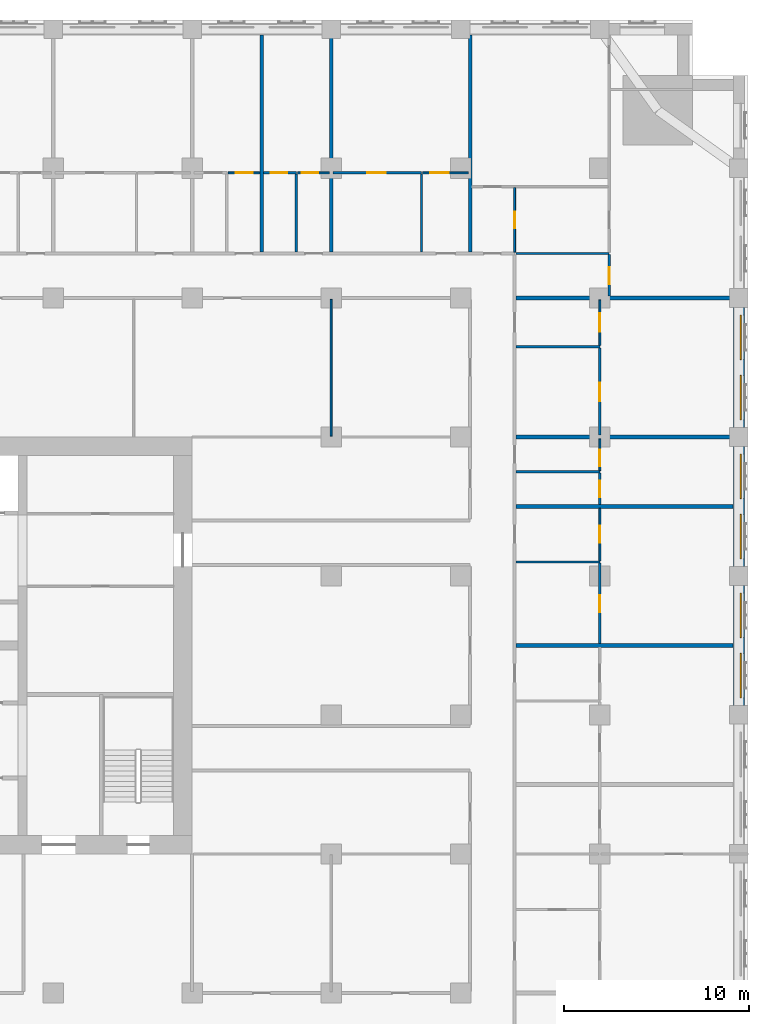
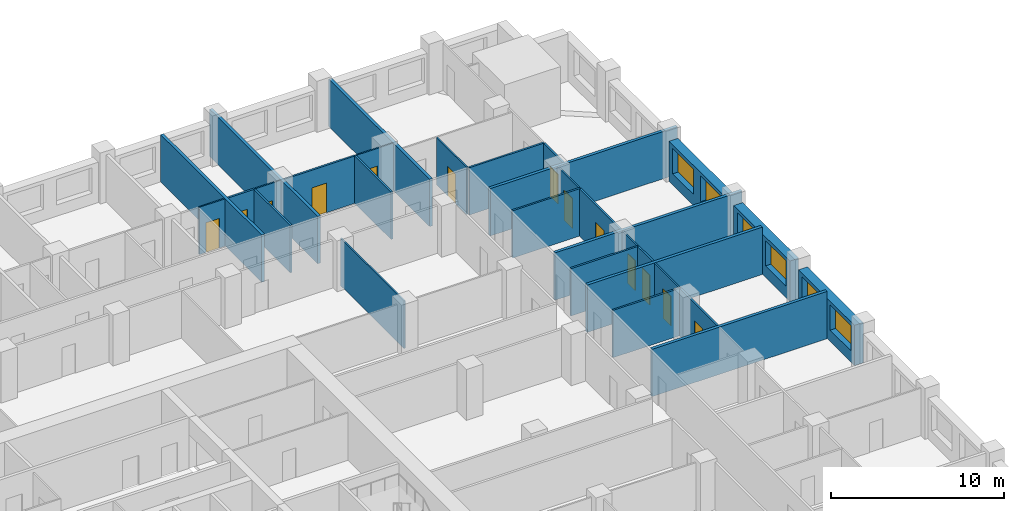
# One storey, part 10 of 14: 30 walls, 13 doors, 6 windows, 19 openings.
"""IFC4 building model written with IfcOpenShell, lengths in metres."""

from ifc_helpers import new_model, si_unit, direction, frame, frame_2d, origin, place, context, subcontext, project, spatial, rectangle, extrude, material, layer, layer_set, type_object, element, fill, save


model = new_model("IFC4")

# Units and contexts
model_context = context("Model", 3, precision=1e-05, world=origin(), true_north=direction((0.0, 1.0)))
body_context = subcontext(model_context, "Body", "Model", "MODEL_VIEW")
ifc_project = project(units=[si_unit("LENGTHUNIT", "METRE"), si_unit("AREAUNIT", "SQUARE_METRE"), si_unit("VOLUMEUNIT", "CUBIC_METRE"), si_unit("PLANEANGLEUNIT", "RADIAN"), si_unit("MASSUNIT", "GRAM", prefix="KILO")], contexts=[model_context])

# Site, building, storey
site_placement = place(None, origin())
site = spatial("IfcSite", under=ifc_project, at=site_placement, CompositionType="ELEMENT")
building_placement = place(site_placement, origin())
building = spatial("IfcBuilding", under=site, at=building_placement, Name="Tamorin Gate", CompositionType="ELEMENT")
storey_placement = place(building_placement, frame((0.0, 0.0, 93.5)))
storey = spatial("IfcBuildingStorey", under=building, at=storey_placement, Name="L22", CompositionType="ELEMENT", Elevation=93.5)

# Wall, openings, windows
ifc_material_1 = material(Name="Precast concrete C40/50", Category="concrete")
ifc_layer_1 = layer(ifc_material_1, 0.60009765625)
ifc_layer_set_1 = layer_set([ifc_layer_1], Name="Precast concrete C40/50")
wall_type_1 = type_object("IfcWallType", Name="Board-marked concrete facade panel 600", PredefinedType="SOLIDWALL", material=ifc_layer_set_1)
wall_1_placement = place(storey_placement, frame((89.5, 68.0, 0.0), z_axis=(0.0, 0.0, 1.0), x_axis=(0.0, 1.0, 0.0)))
wall_1 = element("IfcWall", 1, at=wall_1_placement, inside=storey, type_object=wall_type_1, Name="Facade panel", PredefinedType="SOLIDWALL", context=body_context, shape_type="SweptSolid", body=[
    extrude(rectangle(XDim=6.5, YDim=0.60009765625, at=frame_2d((3.25, 0.0))), origin(), (0.0, 0.0, 1.0), 2.85009765625),
])
opening_1_placement = place(wall_1_placement, frame((0.425048828125, 0.0, 0.800048828125)))
opening_1 = element("IfcOpeningElement", 2, at=opening_1_placement, cuts=wall_1, Name="Opening WN1", PredefinedType="OPENING", context=body_context, shape_type="SweptSolid", body=[
    extrude(rectangle(XDim=2.39990234375, YDim=1.800048828125, at=frame_2d((1.199951171875, 0.89990234375))), frame((0.0, 0.31005859375, 0.0), z_axis=(0.0, -1.0, 0.0), x_axis=(1.0, 0.0, 0.0)), (0.0, 0.0, 1.0), 0.6201171875),
])
opening_2_placement = place(wall_1_placement, frame((3.675048828125, 0.0, 0.800048828125)))
opening_2 = element("IfcOpeningElement", 3, at=opening_2_placement, cuts=wall_1, Name="Opening WN1", PredefinedType="OPENING", context=body_context, shape_type="SweptSolid", body=[
    extrude(rectangle(XDim=2.39990234375, YDim=1.800048828125, at=frame_2d((1.199951171875, 0.89990234375))), frame((0.0, 0.31005859375, 0.0), z_axis=(0.0, -1.0, 0.0), x_axis=(1.0, 0.0, 0.0)), (0.0, 0.0, 1.0), 0.6201171875),
])
ifc_material_2 = material(Name="Clear glass in aluminium frame", Category="aluminium")
window_type = type_object("IfcWindowType", Name="Deep-set window 2400x1800", PartitioningType="SINGLE_PANEL", PredefinedType="WINDOW", material=ifc_material_2)
window_1_placement = place(opening_1_placement, origin())
window_1 = element("IfcWindow", 4, at=window_1_placement, inside=storey, type_object=window_type, Name="Deep-set window", OverallHeight=1.800048828125, OverallWidth=2.39990234375, PartitioningType="SINGLE_PANEL", PredefinedType="WINDOW", context=body_context, shape_type="SweptSolid", body=[
    extrude(rectangle(XDim=2.39990234375, YDim=1.800048828125, at=frame_2d((1.199951171875, 0.89990234375))), frame((0.0, -0.070068359375, 0.0), z_axis=(0.0, -1.0, 0.0), x_axis=(1.0, 0.0, 0.0)), (0.0, 0.0, 1.0), 0.06005859375),
])
fill(opening_1, window_1)
window_2_placement = place(opening_2_placement, origin())
window_2 = element("IfcWindow", 5, at=window_2_placement, inside=storey, type_object=window_type, Name="Deep-set window", OverallHeight=1.800048828125, OverallWidth=2.39990234375, PartitioningType="SINGLE_PANEL", PredefinedType="WINDOW", context=body_context, shape_type="SweptSolid", body=[
    extrude(rectangle(XDim=2.39990234375, YDim=1.800048828125, at=frame_2d((1.199951171875, 0.89990234375))), frame((0.0, -0.070068359375, 0.0), z_axis=(0.0, -1.0, 0.0), x_axis=(1.0, 0.0, 0.0)), (0.0, 0.0, 1.0), 0.06005859375),
])
fill(opening_2, window_2)

wall_2_placement = place(storey_placement, frame((89.5, 75.5, 0.0), z_axis=(0.0, 0.0, 1.0), x_axis=(0.0, 1.0, 0.0)))
wall_2 = element("IfcWall", 6, at=wall_2_placement, inside=storey, type_object=wall_type_1, Name="Facade panel", PredefinedType="SOLIDWALL", context=body_context, shape_type="SweptSolid", body=[
    extrude(rectangle(XDim=6.5, YDim=0.60009765625, at=frame_2d((3.25, 0.0))), origin(), (0.0, 0.0, 1.0), 2.85009765625),
])
opening_3_placement = place(wall_2_placement, frame((0.425048828125, 0.0, 0.800048828125)))
opening_3 = element("IfcOpeningElement", 7, at=opening_3_placement, cuts=wall_2, Name="Opening WN1", PredefinedType="OPENING", context=body_context, shape_type="SweptSolid", body=[
    extrude(rectangle(XDim=2.39990234375, YDim=1.800048828125, at=frame_2d((1.199951171875, 0.89990234375))), frame((0.0, 0.31005859375, 0.0), z_axis=(0.0, -1.0, 0.0), x_axis=(1.0, 0.0, 0.0)), (0.0, 0.0, 1.0), 0.6201171875),
])
opening_4_placement = place(wall_2_placement, frame((3.675048828125, 0.0, 0.800048828125)))
opening_4 = element("IfcOpeningElement", 8, at=opening_4_placement, cuts=wall_2, Name="Opening WN1", PredefinedType="OPENING", context=body_context, shape_type="SweptSolid", body=[
    extrude(rectangle(XDim=2.39990234375, YDim=1.800048828125, at=frame_2d((1.199951171875, 0.89990234375))), frame((0.0, 0.31005859375, 0.0), z_axis=(0.0, -1.0, 0.0), x_axis=(1.0, 0.0, 0.0)), (0.0, 0.0, 1.0), 0.6201171875),
])
window_3_placement = place(opening_3_placement, origin())
window_3 = element("IfcWindow", 9, at=window_3_placement, inside=storey, type_object=window_type, Name="Deep-set window", OverallHeight=1.800048828125, OverallWidth=2.39990234375, PartitioningType="SINGLE_PANEL", PredefinedType="WINDOW", context=body_context, shape_type="SweptSolid", body=[
    extrude(rectangle(XDim=2.39990234375, YDim=1.800048828125, at=frame_2d((1.199951171875, 0.89990234375))), frame((0.0, -0.070068359375, 0.0), z_axis=(0.0, -1.0, 0.0), x_axis=(1.0, 0.0, 0.0)), (0.0, 0.0, 1.0), 0.06005859375),
])
fill(opening_3, window_3)
window_4_placement = place(opening_4_placement, origin())
window_4 = element("IfcWindow", 10, at=window_4_placement, inside=storey, type_object=window_type, Name="Deep-set window", OverallHeight=1.800048828125, OverallWidth=2.39990234375, PartitioningType="SINGLE_PANEL", PredefinedType="WINDOW", context=body_context, shape_type="SweptSolid", body=[
    extrude(rectangle(XDim=2.39990234375, YDim=1.800048828125, at=frame_2d((1.199951171875, 0.89990234375))), frame((0.0, -0.070068359375, 0.0), z_axis=(0.0, -1.0, 0.0), x_axis=(1.0, 0.0, 0.0)), (0.0, 0.0, 1.0), 0.06005859375),
])
fill(opening_4, window_4)

wall_3_placement = place(storey_placement, frame((89.5, 83.0, 0.0), z_axis=(0.0, 0.0, 1.0), x_axis=(0.0, 1.0, 0.0)))
wall_3 = element("IfcWall", 11, at=wall_3_placement, inside=storey, type_object=wall_type_1, Name="Facade panel", PredefinedType="SOLIDWALL", context=body_context, shape_type="SweptSolid", body=[
    extrude(rectangle(XDim=6.5, YDim=0.60009765625, at=frame_2d((3.25, 0.0))), origin(), (0.0, 0.0, 1.0), 2.85009765625),
])
opening_5_placement = place(wall_3_placement, frame((0.425048828125, 0.0, 0.800048828125)))
opening_5 = element("IfcOpeningElement", 12, at=opening_5_placement, cuts=wall_3, Name="Opening WN1", PredefinedType="OPENING", context=body_context, shape_type="SweptSolid", body=[
    extrude(rectangle(XDim=2.39990234375, YDim=1.800048828125, at=frame_2d((1.199951171875, 0.89990234375))), frame((0.0, 0.31005859375, 0.0), z_axis=(0.0, -1.0, 0.0), x_axis=(1.0, 0.0, 0.0)), (0.0, 0.0, 1.0), 0.6201171875),
])
opening_6_placement = place(wall_3_placement, frame((3.675048828125, 0.0, 0.800048828125)))
opening_6 = element("IfcOpeningElement", 13, at=opening_6_placement, cuts=wall_3, Name="Opening WN1", PredefinedType="OPENING", context=body_context, shape_type="SweptSolid", body=[
    extrude(rectangle(XDim=2.39990234375, YDim=1.800048828125, at=frame_2d((1.199951171875, 0.89990234375))), frame((0.0, 0.31005859375, 0.0), z_axis=(0.0, -1.0, 0.0), x_axis=(1.0, 0.0, 0.0)), (0.0, 0.0, 1.0), 0.6201171875),
])
window_5_placement = place(opening_5_placement, origin())
window_5 = element("IfcWindow", 14, at=window_5_placement, inside=storey, type_object=window_type, Name="Deep-set window", OverallHeight=1.800048828125, OverallWidth=2.39990234375, PartitioningType="SINGLE_PANEL", PredefinedType="WINDOW", context=body_context, shape_type="SweptSolid", body=[
    extrude(rectangle(XDim=2.39990234375, YDim=1.800048828125, at=frame_2d((1.199951171875, 0.89990234375))), frame((0.0, -0.070068359375, 0.0), z_axis=(0.0, -1.0, 0.0), x_axis=(1.0, 0.0, 0.0)), (0.0, 0.0, 1.0), 0.06005859375),
])
fill(opening_5, window_5)
window_6_placement = place(opening_6_placement, origin())
window_6 = element("IfcWindow", 15, at=window_6_placement, inside=storey, type_object=window_type, Name="Deep-set window", OverallHeight=1.800048828125, OverallWidth=2.39990234375, PartitioningType="SINGLE_PANEL", PredefinedType="WINDOW", context=body_context, shape_type="SweptSolid", body=[
    extrude(rectangle(XDim=2.39990234375, YDim=1.800048828125, at=frame_2d((1.199951171875, 0.89990234375))), frame((0.0, -0.070068359375, 0.0), z_axis=(0.0, -1.0, 0.0), x_axis=(1.0, 0.0, 0.0)), (0.0, 0.0, 1.0), 0.06005859375),
])
fill(opening_6, window_6)

# Walls
ifc_material_3 = material(Name="Gypsum board partition")
ifc_layer_2 = layer(ifc_material_3, 0.199951171875)
ifc_layer_set_2 = layer_set([ifc_layer_2], Name="Demising wall 200")
wall_type_2 = type_object("IfcWallType", Name="Demising wall 200", PredefinedType="PARTITIONING", material=ifc_layer_set_2)
for number, where, z_axis, x_axis, name in (
    (16, (77.47509765625, 71.25, 0.0), (0.0, 0.0, 1.0), (1.0, 0.0, 0.0), "Demising wall 200"),
    (17, (77.47509765625, 78.75, 0.0), (0.0, 0.0, 1.0), (1.0, 0.0, 0.0), "Demising wall 200"),
):
    element("IfcWall", number, at=place(storey_placement, frame(where, z_axis=z_axis, x_axis=x_axis)), inside=storey, type_object=wall_type_2, Name=name, PredefinedType="PARTITIONING", context=body_context, shape_type="SweptSolid", body=[
        extrude(rectangle(XDim=11.71484375, YDim=0.199951171875, at=frame_2d((5.857421875, 0.0))), origin(), (0.0, 0.0, 1.0), 3.35009765625),
    ])
for number, where, z_axis, x_axis, name in (
    (18, (77.47509765625, 82.5, 0.0), (0.0, 0.0, 1.0), (1.0, 0.0, 0.0), "Demising wall 200"),
    (19, (77.47509765625, 90.0, 0.0), (0.0, 0.0, 1.0), (1.0, 0.0, 0.0), "Demising wall 200"),
):
    element("IfcWall", number, at=place(storey_placement, frame(where, z_axis=z_axis, x_axis=x_axis)), inside=storey, type_object=wall_type_2, Name=name, PredefinedType="PARTITIONING", context=body_context, shape_type="SweptSolid", body=[
        extrude(rectangle(XDim=12.52490234375, YDim=0.199951171875, at=frame_2d((6.262451171875, 0.0))), origin(), (0.0, 0.0, 1.0), 3.35009765625),
    ])
wall_4_placement = place(storey_placement, frame((63.75, 92.47509765625, 0.0), z_axis=(0.0, 0.0, 1.0), x_axis=(0.0, 1.0, 0.0)))
element("IfcWall", 20, at=wall_4_placement, inside=storey, type_object=wall_type_2, Name="Demising wall 200", PredefinedType="PARTITIONING", context=body_context, shape_type="SweptSolid", body=[
    extrude(rectangle(XDim=11.71484375, YDim=0.199951171875, at=frame_2d((5.857421875, 0.0))), origin(), (0.0, 0.0, 1.0), 3.35009765625),
])
wall_5_placement = place(storey_placement, frame((67.5, 92.47509765625, 0.0), z_axis=(0.0, 0.0, 1.0), x_axis=(0.0, 1.0, 0.0)))
element("IfcWall", 21, at=wall_5_placement, inside=storey, type_object=wall_type_2, Name="Demising wall 200", PredefinedType="PARTITIONING", context=body_context, shape_type="SweptSolid", body=[
    extrude(rectangle(XDim=12.52490234375, YDim=0.199951171875, at=frame_2d((6.262451171875, 0.0))), origin(), (0.0, 0.0, 1.0), 3.35009765625),
])
wall_6_placement = place(storey_placement, frame((75.0, 92.47509765625, 0.0), z_axis=(0.0, 0.0, 1.0), x_axis=(0.0, 1.0, 0.0)))
element("IfcWall", 22, at=wall_6_placement, inside=storey, type_object=wall_type_2, Name="Demising wall 200", PredefinedType="PARTITIONING", context=body_context, shape_type="SweptSolid", body=[
    extrude(rectangle(XDim=11.71484375, YDim=0.199951171875, at=frame_2d((5.857421875, 0.0))), origin(), (0.0, 0.0, 1.0), 3.35009765625),
])

# Wall, opening, door
ifc_layer_3 = layer(ifc_material_3, 0.10009765625)
ifc_layer_set_3 = layer_set([ifc_layer_3], Name="Room partition 100")
wall_type_3 = type_object("IfcWallType", Name="Room partition 100", PredefinedType="PARTITIONING", material=ifc_layer_set_3)
wall_7_placement = place(storey_placement, frame((61.9375, 96.75, 0.0), z_axis=(0.0, 0.0, 1.0), x_axis=(1.0, 0.0, 0.0)))
wall_7 = element("IfcWall", 23, at=wall_7_placement, inside=storey, type_object=wall_type_3, Name="Room partition 100", PredefinedType="PARTITIONING", context=body_context, shape_type="SweptSolid", body=[
    extrude(rectangle(XDim=1.71240234375, YDim=0.10009765625, at=frame_2d((0.856201171875, 0.0))), origin(), (0.0, 0.0, 1.0), 3.35009765625),
])
opening_7_placement = place(wall_7_placement, frame((0.425048828125, 0.0, 0.0)))
opening_7 = element("IfcOpeningElement", 24, at=opening_7_placement, cuts=wall_7, Name="Opening DH5036", PredefinedType="OPENING", context=body_context, shape_type="SweptSolid", body=[
    extrude(rectangle(XDim=0.89990234375, YDim=2.10009765625, at=frame_2d((0.449951171875, 1.050048828125))), frame((0.0, 0.06005859375, 0.0), z_axis=(0.0, -1.0, 0.0), x_axis=(1.0, 0.0, 0.0)), (0.0, 0.0, 1.0), 0.1201171875),
])
ifc_material_4 = material(Name="Timber door leaf", Category="wood")
door_type_1 = type_object("IfcDoorType", Name="Door 900 x 2100", OperationType="NOTDEFINED", PredefinedType="DOOR", material=ifc_material_4)
door_1_placement = place(opening_7_placement, origin())
door_1 = element("IfcDoor", 25, at=door_1_placement, inside=storey, type_object=door_type_1, Name="Door DH5036", OperationType="SINGLE_SWING_RIGHT", OverallHeight=2.10009765625, OverallWidth=0.89990234375, PredefinedType="DOOR", context=body_context, shape_type="SweptSolid", body=[
    extrude(rectangle(XDim=0.89990234375, YDim=2.10009765625, at=frame_2d((0.449951171875, 1.050048828125))), frame((0.0, 0.02490234375, 0.0), z_axis=(0.0, -1.0, 0.0), x_axis=(1.0, 0.0, 0.0)), (0.0, 0.0, 1.0), 0.050048828125),
])
fill(opening_7, door_1)

wall_8_placement = place(storey_placement, frame((65.6875, 96.75, 0.0), z_axis=(0.0, 0.0, 1.0), x_axis=(1.0, 0.0, 0.0)))
wall_8 = element("IfcWall", 26, at=wall_8_placement, inside=storey, type_object=wall_type_3, Name="Room partition 100", PredefinedType="PARTITIONING", context=body_context, shape_type="SweptSolid", body=[
    extrude(rectangle(XDim=1.71240234375, YDim=0.10009765625, at=frame_2d((0.856201171875, 0.0))), origin(), (0.0, 0.0, 1.0), 3.35009765625),
])
opening_8_placement = place(wall_8_placement, frame((0.22509765625, 0.0, 0.0)))
opening_8 = element("IfcOpeningElement", 27, at=opening_8_placement, cuts=wall_8, Name="Opening DH5039", PredefinedType="OPENING", context=body_context, shape_type="SweptSolid", body=[
    extrude(rectangle(XDim=0.89990234375, YDim=2.10009765625, at=frame_2d((0.449951171875, 1.050048828125))), frame((0.0, 0.06005859375, 0.0), z_axis=(0.0, -1.0, 0.0), x_axis=(1.0, 0.0, 0.0)), (0.0, 0.0, 1.0), 0.1201171875),
])
door_2_placement = place(opening_8_placement, origin())
door_2 = element("IfcDoor", 28, at=door_2_placement, inside=storey, type_object=door_type_1, Name="Door DH5039", OperationType="SINGLE_SWING_RIGHT", OverallHeight=2.10009765625, OverallWidth=0.89990234375, PredefinedType="DOOR", context=body_context, shape_type="SweptSolid", body=[
    extrude(rectangle(XDim=0.89990234375, YDim=2.10009765625, at=frame_2d((0.449951171875, 1.050048828125))), frame((0.0, 0.02490234375, 0.0), z_axis=(0.0, -1.0, 0.0), x_axis=(1.0, 0.0, 0.0)), (0.0, 0.0, 1.0), 0.050048828125),
])
fill(opening_8, door_2)

wall_9_placement = place(storey_placement, frame((72.4375, 96.75, 0.0), z_axis=(0.0, 0.0, 1.0), x_axis=(1.0, 0.0, 0.0)))
wall_9 = element("IfcWall", 29, at=wall_9_placement, inside=storey, type_object=wall_type_3, Name="Room partition 100", PredefinedType="PARTITIONING", context=body_context, shape_type="SweptSolid", body=[
    extrude(rectangle(XDim=2.46240234375, YDim=0.10009765625, at=frame_2d((1.231201171875, 0.0))), origin(), (0.0, 0.0, 1.0), 3.35009765625),
])
opening_9_placement = place(wall_9_placement, frame((0.39990234375, 0.0, 0.0)))
opening_9 = element("IfcOpeningElement", 30, at=opening_9_placement, cuts=wall_9, Name="Opening DH5042", PredefinedType="OPENING", context=body_context, shape_type="SweptSolid", body=[
    extrude(rectangle(XDim=1.0, YDim=2.10009765625, at=frame_2d((0.5, 1.050048828125))), frame((0.0, 0.06005859375, 0.0), z_axis=(0.0, -1.0, 0.0), x_axis=(1.0, 0.0, 0.0)), (0.0, 0.0, 1.0), 0.1201171875),
])
door_type_2 = type_object("IfcDoorType", Name="Door 1000 x 2100", OperationType="NOTDEFINED", PredefinedType="DOOR", material=ifc_material_4)
door_3_placement = place(opening_9_placement, origin())
door_3 = element("IfcDoor", 31, at=door_3_placement, inside=storey, type_object=door_type_2, Name="Door DH5042", OperationType="SINGLE_SWING_RIGHT", OverallHeight=2.10009765625, OverallWidth=1.0, PredefinedType="DOOR", context=body_context, shape_type="SweptSolid", body=[
    extrude(rectangle(XDim=1.0, YDim=2.10009765625, at=frame_2d((0.5, 1.050048828125))), frame((0.0, 0.02490234375, 0.0), z_axis=(0.0, -1.0, 0.0), x_axis=(1.0, 0.0, 0.0)), (0.0, 0.0, 1.0), 0.050048828125),
])
fill(opening_9, door_3)

# Wall
wall_10_placement = place(storey_placement, frame((67.5, 82.550048828125, 0.0), z_axis=(0.0, 0.0, 1.0), x_axis=(0.0, 1.0, 0.0)))
element("IfcWall", 32, at=wall_10_placement, inside=storey, type_object=wall_type_3, Name="Room partition 100", PredefinedType="PARTITIONING", context=body_context, shape_type="SweptSolid", body=[
    extrude(rectangle(XDim=7.375, YDim=0.10009765625, at=frame_2d((3.6875, 0.0))), origin(), (0.0, 0.0, 1.0), 3.35009765625),
])

# Wall, opening, door
wall_11_placement = place(storey_placement, frame((77.39990234375, 92.47509765625, 0.0), z_axis=(0.0, 0.0, 1.0), x_axis=(0.0, 1.0, 0.0)))
wall_11 = element("IfcWall", 33, at=wall_11_placement, inside=storey, type_object=wall_type_3, Name="Room partition 100", PredefinedType="PARTITIONING", context=body_context, shape_type="SweptSolid", body=[
    extrude(rectangle(XDim=3.474853515625, YDim=0.10009765625, at=frame_2d((1.7373046875, 0.0))), origin(), (0.0, 0.0, 1.0), 3.35009765625),
])
opening_10_placement = place(wall_11_placement, frame((1.27490234375, 0.0, 0.0)))
opening_10 = element("IfcOpeningElement", 34, at=opening_10_placement, cuts=wall_11, Name="Opening DH5068", PredefinedType="OPENING", context=body_context, shape_type="SweptSolid", body=[
    extrude(rectangle(XDim=0.89990234375, YDim=2.10009765625, at=frame_2d((0.449951171875, 1.050048828125))), frame((0.0, 0.06005859375, 0.0), z_axis=(0.0, -1.0, 0.0), x_axis=(1.0, 0.0, 0.0)), (0.0, 0.0, 1.0), 0.1201171875),
])
door_4_placement = place(opening_10_placement, origin())
door_4 = element("IfcDoor", 35, at=door_4_placement, inside=storey, type_object=door_type_1, Name="Door DH5068", OperationType="SINGLE_SWING_RIGHT", OverallHeight=2.10009765625, OverallWidth=0.89990234375, PredefinedType="DOOR", context=body_context, shape_type="SweptSolid", body=[
    extrude(rectangle(XDim=0.89990234375, YDim=2.10009765625, at=frame_2d((0.449951171875, 1.050048828125))), frame((0.0, 0.02490234375, 0.0), z_axis=(0.0, -1.0, 0.0), x_axis=(1.0, 0.0, 0.0)), (0.0, 0.0, 1.0), 0.050048828125),
])
fill(opening_10, door_4)

wall_12_placement = place(storey_placement, frame((82.0, 75.8125, 0.0), z_axis=(0.0, 0.0, 1.0), x_axis=(0.0, 1.0, 0.0)))
wall_12 = element("IfcWall", 36, at=wall_12_placement, inside=storey, type_object=wall_type_3, Name="Room partition 100", PredefinedType="PARTITIONING", context=body_context, shape_type="SweptSolid", body=[
    extrude(rectangle(XDim=2.83740234375, YDim=0.10009765625, at=frame_2d((1.418701171875, 0.0))), origin(), (0.0, 0.0, 1.0), 3.35009765625),
])
opening_11_placement = place(wall_12_placement, frame((0.987548828125, 0.0, 0.0)))
opening_11 = element("IfcOpeningElement", 37, at=opening_11_placement, cuts=wall_12, Name="Opening DH5053", PredefinedType="OPENING", context=body_context, shape_type="SweptSolid", body=[
    extrude(rectangle(XDim=0.89990234375, YDim=2.10009765625, at=frame_2d((0.449951171875, 1.050048828125))), frame((0.0, 0.06005859375, 0.0), z_axis=(0.0, -1.0, 0.0), x_axis=(1.0, 0.0, 0.0)), (0.0, 0.0, 1.0), 0.1201171875),
])
door_5_placement = place(opening_11_placement, origin())
door_5 = element("IfcDoor", 38, at=door_5_placement, inside=storey, type_object=door_type_1, Name="Door DH5053", OperationType="SINGLE_SWING_LEFT", OverallHeight=2.10009765625, OverallWidth=0.89990234375, PredefinedType="DOOR", context=body_context, shape_type="SweptSolid", body=[
    extrude(rectangle(XDim=0.89990234375, YDim=2.10009765625, at=frame_2d((0.449951171875, 1.050048828125))), frame((0.0, 0.02490234375, 0.0), z_axis=(0.0, -1.0, 0.0), x_axis=(1.0, 0.0, 0.0)), (0.0, 0.0, 1.0), 0.050048828125),
])
fill(opening_11, door_5)

wall_13_placement = place(storey_placement, frame((82.0, 80.6875, 0.0), z_axis=(0.0, 0.0, 1.0), x_axis=(0.0, 1.0, 0.0)))
wall_13 = element("IfcWall", 39, at=wall_13_placement, inside=storey, type_object=wall_type_3, Name="Room partition 100", PredefinedType="PARTITIONING", context=body_context, shape_type="SweptSolid", body=[
    extrude(rectangle(XDim=1.71240234375, YDim=0.10009765625, at=frame_2d((0.856201171875, 0.0))), origin(), (0.0, 0.0, 1.0), 3.35009765625),
])
opening_12_placement = place(wall_13_placement, frame((0.22509765625, 0.0, 0.0)))
opening_12 = element("IfcOpeningElement", 40, at=opening_12_placement, cuts=wall_13, Name="Opening DH5056", PredefinedType="OPENING", context=body_context, shape_type="SweptSolid", body=[
    extrude(rectangle(XDim=0.89990234375, YDim=2.10009765625, at=frame_2d((0.449951171875, 1.050048828125))), frame((0.0, 0.06005859375, 0.0), z_axis=(0.0, -1.0, 0.0), x_axis=(1.0, 0.0, 0.0)), (0.0, 0.0, 1.0), 0.1201171875),
])
door_6_placement = place(opening_12_placement, origin())
door_6 = element("IfcDoor", 41, at=door_6_placement, inside=storey, type_object=door_type_1, Name="Door DH5056", OperationType="SINGLE_SWING_LEFT", OverallHeight=2.10009765625, OverallWidth=0.89990234375, PredefinedType="DOOR", context=body_context, shape_type="SweptSolid", body=[
    extrude(rectangle(XDim=0.89990234375, YDim=2.10009765625, at=frame_2d((0.449951171875, 1.050048828125))), frame((0.0, 0.02490234375, 0.0), z_axis=(0.0, -1.0, 0.0), x_axis=(1.0, 0.0, 0.0)), (0.0, 0.0, 1.0), 0.050048828125),
])
fill(opening_12, door_6)

wall_14_placement = place(storey_placement, frame((82.0, 87.4375, 0.0), z_axis=(0.0, 0.0, 1.0), x_axis=(0.0, 1.0, 0.0)))
wall_14 = element("IfcWall", 42, at=wall_14_placement, inside=storey, type_object=wall_type_3, Name="Room partition 100", PredefinedType="PARTITIONING", context=body_context, shape_type="SweptSolid", body=[
    extrude(rectangle(XDim=2.46240234375, YDim=0.10009765625, at=frame_2d((1.231201171875, 0.0))), origin(), (0.0, 0.0, 1.0), 3.35009765625),
])
opening_13_placement = place(wall_14_placement, frame((0.75, 0.0, 0.0)))
opening_13 = element("IfcOpeningElement", 43, at=opening_13_placement, cuts=wall_14, Name="Opening DH5059", PredefinedType="OPENING", context=body_context, shape_type="SweptSolid", body=[
    extrude(rectangle(XDim=1.0, YDim=2.10009765625, at=frame_2d((0.5, 1.050048828125))), frame((0.0, 0.06005859375, 0.0), z_axis=(0.0, -1.0, 0.0), x_axis=(1.0, 0.0, 0.0)), (0.0, 0.0, 1.0), 0.1201171875),
])
door_7_placement = place(opening_13_placement, origin())
door_7 = element("IfcDoor", 44, at=door_7_placement, inside=storey, type_object=door_type_2, Name="Door DH5059", OperationType="SINGLE_SWING_LEFT", OverallHeight=2.10009765625, OverallWidth=1.0, PredefinedType="DOOR", context=body_context, shape_type="SweptSolid", body=[
    extrude(rectangle(XDim=1.0, YDim=2.10009765625, at=frame_2d((0.5, 1.050048828125))), frame((0.0, 0.02490234375, 0.0), z_axis=(0.0, -1.0, 0.0), x_axis=(1.0, 0.0, 0.0)), (0.0, 0.0, 1.0), 0.050048828125),
])
fill(opening_13, door_7)

# Walls
ifc_layer_4 = layer(ifc_material_3, 0.125)
ifc_layer_set_4 = layer_set([ifc_layer_4], Name="Wet wall 125")
wall_type_4 = type_object("IfcWallType", Name="Wet wall 125", PredefinedType="PARTITIONING", material=ifc_layer_set_4)
for number, where, z_axis, x_axis, name in (
    (45, (77.47509765625, 75.75, 0.0), (0.0, 0.0, 1.0), (1.0, 0.0, 0.0), "Wet wall 125"),
    (46, (77.47509765625, 80.625, 0.0), (0.0, 0.0, 1.0), (1.0, 0.0, 0.0), "Wet wall 125"),
    (47, (77.47509765625, 87.375, 0.0), (0.0, 0.0, 1.0), (1.0, 0.0, 0.0), "Wet wall 125"),
):
    element("IfcWall", number, at=place(storey_placement, frame(where, z_axis=z_axis, x_axis=x_axis)), inside=storey, type_object=wall_type_4, Name=name, PredefinedType="PARTITIONING", context=body_context, shape_type="SweptSolid", body=[
        extrude(rectangle(XDim=4.52490234375, YDim=0.125, at=frame_2d((2.262451171875, 0.0))), origin(), (0.0, 0.0, 1.0), 3.35009765625),
    ])
wall_15_placement = place(storey_placement, frame((77.47509765625, 92.39990234375, 0.0), z_axis=(0.0, 0.0, 1.0), x_axis=(1.0, 0.0, 0.0)))
element("IfcWall", 48, at=wall_15_placement, inside=storey, type_object=wall_type_4, Name="Wet wall 125", PredefinedType="PARTITIONING", context=body_context, shape_type="SweptSolid", body=[
    extrude(rectangle(XDim=5.02490234375, YDim=0.125, at=frame_2d((2.512451171875, 0.0))), origin(), (0.0, 0.0, 1.0), 3.35009765625),
])

# Wall, opening, door
wall_16_placement = place(storey_placement, frame((63.85009765625, 96.75, 0.0), z_axis=(0.0, 0.0, 1.0), x_axis=(1.0, 0.0, 0.0)))
wall_16 = element("IfcWall", 49, at=wall_16_placement, inside=storey, type_object=wall_type_4, Name="Wet wall 125", PredefinedType="PARTITIONING", context=body_context, shape_type="SweptSolid", body=[
    extrude(rectangle(XDim=1.77490234375, YDim=0.125, at=frame_2d((0.887451171875, 0.0))), origin(), (0.0, 0.0, 1.0), 3.35009765625),
])
opening_14_placement = place(wall_16_placement, frame((0.387451171875, 0.0, 0.0)))
opening_14 = element("IfcOpeningElement", 50, at=opening_14_placement, cuts=wall_16, Name="Opening DH5037", PredefinedType="OPENING", context=body_context, shape_type="SweptSolid", body=[
    extrude(rectangle(XDim=0.89990234375, YDim=2.10009765625, at=frame_2d((0.449951171875, 1.050048828125))), frame((0.0, 0.072509765625, 0.0), z_axis=(0.0, -1.0, 0.0), x_axis=(1.0, 0.0, 0.0)), (0.0, 0.0, 1.0), 0.14501953125),
])
door_8_placement = place(opening_14_placement, origin())
door_8 = element("IfcDoor", 51, at=door_8_placement, inside=storey, type_object=door_type_1, Name="Door DH5037", OperationType="SINGLE_SWING_RIGHT", OverallHeight=2.10009765625, OverallWidth=0.89990234375, PredefinedType="DOOR", context=body_context, shape_type="SweptSolid", body=[
    extrude(rectangle(XDim=0.89990234375, YDim=2.10009765625, at=frame_2d((0.449951171875, 1.050048828125))), frame((0.0, 0.02490234375, 0.0), z_axis=(0.0, -1.0, 0.0), x_axis=(1.0, 0.0, 0.0)), (0.0, 0.0, 1.0), 0.050048828125),
])
fill(opening_14, door_8)

wall_17_placement = place(storey_placement, frame((67.60009765625, 96.75, 0.0), z_axis=(0.0, 0.0, 1.0), x_axis=(1.0, 0.0, 0.0)))
wall_17 = element("IfcWall", 52, at=wall_17_placement, inside=storey, type_object=wall_type_4, Name="Wet wall 125", PredefinedType="PARTITIONING", context=body_context, shape_type="SweptSolid", body=[
    extrude(rectangle(XDim=4.77490234375, YDim=0.125, at=frame_2d((2.387451171875, 0.0))), origin(), (0.0, 0.0, 1.0), 3.35009765625),
])
opening_15_placement = place(wall_17_placement, frame((1.83740234375, 0.0, 0.0)))
opening_15 = element("IfcOpeningElement", 53, at=opening_15_placement, cuts=wall_17, Name="Opening DH5040", PredefinedType="OPENING", context=body_context, shape_type="SweptSolid", body=[
    extrude(rectangle(XDim=1.0, YDim=2.10009765625, at=frame_2d((0.5, 1.050048828125))), frame((0.0, 0.072509765625, 0.0), z_axis=(0.0, -1.0, 0.0), x_axis=(1.0, 0.0, 0.0)), (0.0, 0.0, 1.0), 0.14501953125),
])
door_9_placement = place(opening_15_placement, origin())
door_9 = element("IfcDoor", 54, at=door_9_placement, inside=storey, type_object=door_type_2, Name="Door DH5040", OperationType="SINGLE_SWING_RIGHT", OverallHeight=2.10009765625, OverallWidth=1.0, PredefinedType="DOOR", context=body_context, shape_type="SweptSolid", body=[
    extrude(rectangle(XDim=1.0, YDim=2.10009765625, at=frame_2d((0.5, 1.050048828125))), frame((0.0, 0.02490234375, 0.0), z_axis=(0.0, -1.0, 0.0), x_axis=(1.0, 0.0, 0.0)), (0.0, 0.0, 1.0), 0.050048828125),
])
fill(opening_15, door_9)

# Walls
for number, where, z_axis, x_axis, name in (
    (55, (65.625, 92.47509765625, 0.0), (0.0, 0.0, 1.0), (0.0, 1.0, 0.0), "Wet wall 125"),
    (56, (72.375, 92.47509765625, 0.0), (0.0, 0.0, 1.0), (0.0, 1.0, 0.0), "Wet wall 125"),
):
    element("IfcWall", number, at=place(storey_placement, frame(where, z_axis=z_axis, x_axis=x_axis)), inside=storey, type_object=wall_type_4, Name=name, PredefinedType="PARTITIONING", context=body_context, shape_type="SweptSolid", body=[
        extrude(rectangle(XDim=4.21240234375, YDim=0.125, at=frame_2d((2.106201171875, 0.0))), origin(), (0.0, 0.0, 1.0), 3.35009765625),
    ])

# Wall, opening, door
wall_18_placement = place(storey_placement, frame((82.0, 71.35009765625, 0.0), z_axis=(0.0, 0.0, 1.0), x_axis=(0.0, 1.0, 0.0)))
wall_18 = element("IfcWall", 57, at=wall_18_placement, inside=storey, type_object=wall_type_4, Name="Wet wall 125", PredefinedType="PARTITIONING", context=body_context, shape_type="SweptSolid", body=[
    extrude(rectangle(XDim=4.33740234375, YDim=0.125, at=frame_2d((2.168701171875, 0.0))), origin(), (0.0, 0.0, 1.0), 3.35009765625),
])
opening_16_placement = place(wall_18_placement, frame((1.699951171875, 0.0, 0.0)))
opening_16 = element("IfcOpeningElement", 58, at=opening_16_placement, cuts=wall_18, Name="Opening DH5051", PredefinedType="OPENING", context=body_context, shape_type="SweptSolid", body=[
    extrude(rectangle(XDim=0.89990234375, YDim=2.10009765625, at=frame_2d((0.449951171875, 1.050048828125))), frame((0.0, 0.072509765625, 0.0), z_axis=(0.0, -1.0, 0.0), x_axis=(1.0, 0.0, 0.0)), (0.0, 0.0, 1.0), 0.14501953125),
])
door_10_placement = place(opening_16_placement, origin())
door_10 = element("IfcDoor", 59, at=door_10_placement, inside=storey, type_object=door_type_1, Name="Door DH5051", OperationType="SINGLE_SWING_LEFT", OverallHeight=2.10009765625, OverallWidth=0.89990234375, PredefinedType="DOOR", context=body_context, shape_type="SweptSolid", body=[
    extrude(rectangle(XDim=0.89990234375, YDim=2.10009765625, at=frame_2d((0.449951171875, 1.050048828125))), frame((0.0, 0.02490234375, 0.0), z_axis=(0.0, -1.0, 0.0), x_axis=(1.0, 0.0, 0.0)), (0.0, 0.0, 1.0), 0.050048828125),
])
fill(opening_16, door_10)

wall_19_placement = place(storey_placement, frame((82.0, 78.85009765625, 0.0), z_axis=(0.0, 0.0, 1.0), x_axis=(0.0, 1.0, 0.0)))
wall_19 = element("IfcWall", 60, at=wall_19_placement, inside=storey, type_object=wall_type_4, Name="Wet wall 125", PredefinedType="PARTITIONING", context=body_context, shape_type="SweptSolid", body=[
    extrude(rectangle(XDim=1.71240234375, YDim=0.125, at=frame_2d((0.856201171875, 0.0))), origin(), (0.0, 0.0, 1.0), 3.35009765625),
])
opening_17_placement = place(wall_19_placement, frame((0.387451171875, 0.0, 0.0)))
opening_17 = element("IfcOpeningElement", 61, at=opening_17_placement, cuts=wall_19, Name="Opening DH5054", PredefinedType="OPENING", context=body_context, shape_type="SweptSolid", body=[
    extrude(rectangle(XDim=0.89990234375, YDim=2.10009765625, at=frame_2d((0.449951171875, 1.050048828125))), frame((0.0, 0.072509765625, 0.0), z_axis=(0.0, -1.0, 0.0), x_axis=(1.0, 0.0, 0.0)), (0.0, 0.0, 1.0), 0.14501953125),
])
door_11_placement = place(opening_17_placement, origin())
door_11 = element("IfcDoor", 62, at=door_11_placement, inside=storey, type_object=door_type_1, Name="Door DH5054", OperationType="SINGLE_SWING_LEFT", OverallHeight=2.10009765625, OverallWidth=0.89990234375, PredefinedType="DOOR", context=body_context, shape_type="SweptSolid", body=[
    extrude(rectangle(XDim=0.89990234375, YDim=2.10009765625, at=frame_2d((0.449951171875, 1.050048828125))), frame((0.0, 0.02490234375, 0.0), z_axis=(0.0, -1.0, 0.0), x_axis=(1.0, 0.0, 0.0)), (0.0, 0.0, 1.0), 0.050048828125),
])
fill(opening_17, door_11)

wall_20_placement = place(storey_placement, frame((82.0, 82.60009765625, 0.0), z_axis=(0.0, 0.0, 1.0), x_axis=(0.0, 1.0, 0.0)))
wall_20 = element("IfcWall", 63, at=wall_20_placement, inside=storey, type_object=wall_type_4, Name="Wet wall 125", PredefinedType="PARTITIONING", context=body_context, shape_type="SweptSolid", body=[
    extrude(rectangle(XDim=4.71240234375, YDim=0.125, at=frame_2d((2.356201171875, 0.0))), origin(), (0.0, 0.0, 1.0), 3.35009765625),
])
opening_18_placement = place(wall_20_placement, frame((1.83740234375, 0.0, 0.0)))
opening_18 = element("IfcOpeningElement", 64, at=opening_18_placement, cuts=wall_20, Name="Opening DH5057", PredefinedType="OPENING", context=body_context, shape_type="SweptSolid", body=[
    extrude(rectangle(XDim=1.0, YDim=2.10009765625, at=frame_2d((0.5, 1.050048828125))), frame((0.0, 0.072509765625, 0.0), z_axis=(0.0, -1.0, 0.0), x_axis=(1.0, 0.0, 0.0)), (0.0, 0.0, 1.0), 0.14501953125),
])
door_12_placement = place(opening_18_placement, origin())
door_12 = element("IfcDoor", 65, at=door_12_placement, inside=storey, type_object=door_type_2, Name="Door DH5057", OperationType="SINGLE_SWING_LEFT", OverallHeight=2.10009765625, OverallWidth=1.0, PredefinedType="DOOR", context=body_context, shape_type="SweptSolid", body=[
    extrude(rectangle(XDim=1.0, YDim=2.10009765625, at=frame_2d((0.5, 1.050048828125))), frame((0.0, 0.02490234375, 0.0), z_axis=(0.0, -1.0, 0.0), x_axis=(1.0, 0.0, 0.0)), (0.0, 0.0, 1.0), 0.050048828125),
])
fill(opening_18, door_12)

wall_21_placement = place(storey_placement, frame((82.5, 90.10009765625, 0.0), z_axis=(0.0, 0.0, 1.0), x_axis=(0.0, 1.0, 0.0)))
wall_21 = element("IfcWall", 66, at=wall_21_placement, inside=storey, type_object=wall_type_4, Name="Wet wall 125", PredefinedType="PARTITIONING", context=body_context, shape_type="SweptSolid", body=[
    extrude(rectangle(XDim=2.2373046875, YDim=0.125, at=frame_2d((1.11865234375, 0.0))), origin(), (0.0, 0.0, 1.0), 3.35009765625),
])
opening_19_placement = place(wall_21_placement, frame((0.64990234375, 0.0, 0.0)))
opening_19 = element("IfcOpeningElement", 67, at=opening_19_placement, cuts=wall_21, Name="Opening DH5071", PredefinedType="OPENING", context=body_context, shape_type="SweptSolid", body=[
    extrude(rectangle(XDim=0.89990234375, YDim=2.10009765625, at=frame_2d((0.449951171875, 1.050048828125))), frame((0.0, 0.072509765625, 0.0), z_axis=(0.0, -1.0, 0.0), x_axis=(1.0, 0.0, 0.0)), (0.0, 0.0, 1.0), 0.14501953125),
])
door_13_placement = place(opening_19_placement, origin())
door_13 = element("IfcDoor", 68, at=door_13_placement, inside=storey, type_object=door_type_1, Name="Door DH5071", OperationType="SINGLE_SWING_LEFT", OverallHeight=2.10009765625, OverallWidth=0.89990234375, PredefinedType="DOOR", context=body_context, shape_type="SweptSolid", body=[
    extrude(rectangle(XDim=0.89990234375, YDim=2.10009765625, at=frame_2d((0.449951171875, 1.050048828125))), frame((0.0, 0.02490234375, 0.0), z_axis=(0.0, -1.0, 0.0), x_axis=(1.0, 0.0, 0.0)), (0.0, 0.0, 1.0), 0.050048828125),
])
fill(opening_19, door_13)

save(model, "model.ifc")
